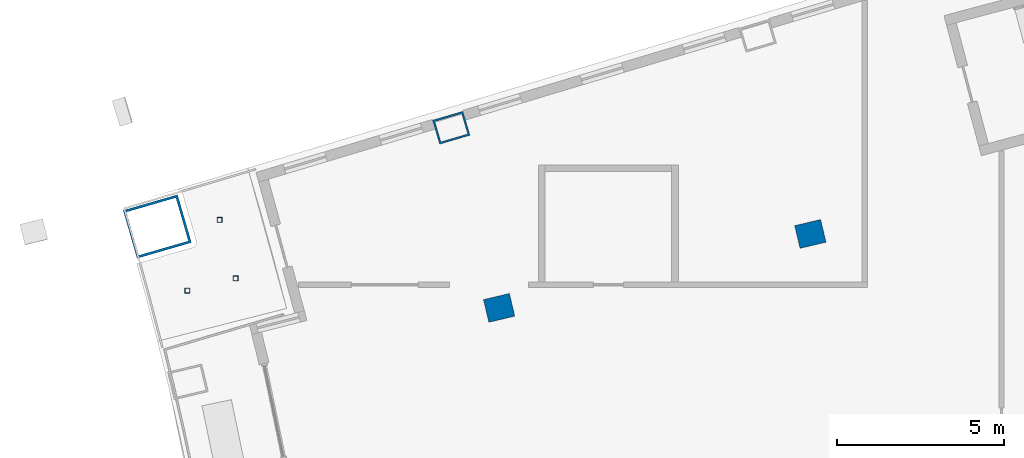
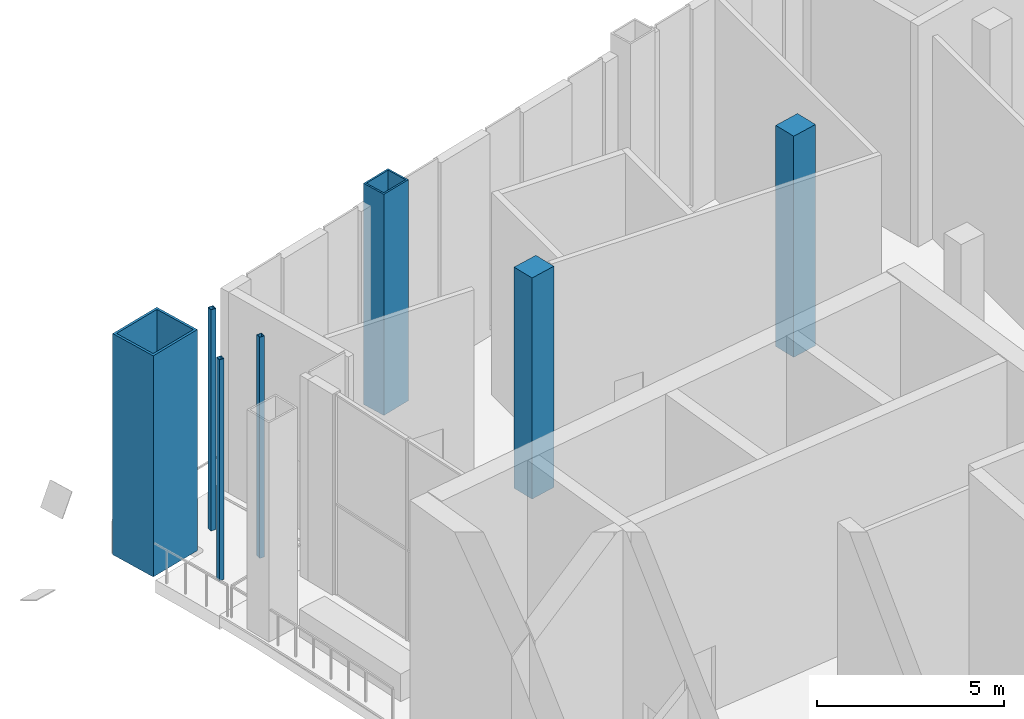
# One storey, part 5 of 24: 7 columns.
"""IFC4 building model written with IfcOpenShell, lengths in metres."""

import ifcopenshell
import ifcopenshell.guid

model = None  # the IFC model being written
_history = None  # IfcOwnerHistory: only IFC2X3 demands one
_inside = {}  # id of a spatial element -> (the spatial element, [elements in it])
_under = {}  # id of a project, library or spatial element -> (it, [spatial elements below it])
_declared = {}  # id of a project -> (the project, [libraries it declares])
_typed = {}  # id of a type object -> (the type object, [elements of that type])
_made_of = {}  # id of a material, layer set ... -> (it, [elements and type objects made of it])


def new_model(schema):
    """Start an empty IFC model of exactly this schema.

    Asked for "IFC4X3", IfcOpenShell would pick the latest addendum, in which some entities
    have other attributes; the version numbers below select the first issue.
    IFC2X3 requires an IfcOwnerHistory on every rooted entity: one is made here for all.
    """
    global model, _history
    if schema == "IFC4X3":
        model = ifcopenshell.file(schema_version=(4, 3, 0, 0))
    else:
        model = ifcopenshell.file(schema=schema)
    _inside.clear()
    _under.clear()
    _declared.clear()
    _typed.clear()
    _made_of.clear()
    _history = None
    if model.schema == "IFC2X3":
        org = make("IfcOrganization", Name="unknown")
        user = make(
            "IfcPersonAndOrganization",
            ThePerson=make("IfcPerson", FamilyName="unknown"),
            TheOrganization=org,
        )
        app = make(
            "IfcApplication",
            ApplicationDeveloper=org,
            Version="unknown",
            ApplicationFullName="unknown",
            ApplicationIdentifier="unknown",
        )
        _history = make(
            "IfcOwnerHistory",
            OwningUser=user,
            OwningApplication=app,
            ChangeAction="ADDED",
            CreationDate=0,
        )
    return model


def make(cls, **values):
    """One entity of the class cls with the attributes given. An attribute that is None is left unset."""
    return model.create_entity(
        cls, **{name: value for name, value in values.items() if value is not None}
    )


def rooted(cls, **values):
    """An entity with a GlobalId (a new one), such as an element, a storey or a relation."""
    return make(cls, GlobalId=ifcopenshell.guid.new(), OwnerHistory=_history, **values)


def si_unit(unit_type, name, prefix=None):
    """IfcSIUnit, for example si_unit("LENGTHUNIT", "METRE", prefix="MILLI")."""
    return make("IfcSIUnit", UnitType=unit_type, Prefix=prefix, Name=name)


def assignment(units):
    """IfcUnitAssignment: the units of a project."""
    return None if units is None else make("IfcUnitAssignment", Units=units)


def point(xyz):
    """IfcCartesianPoint."""
    return None if xyz is None else make("IfcCartesianPoint", Coordinates=xyz)


def direction(xyz):
    """IfcDirection."""
    return None if xyz is None else make("IfcDirection", DirectionRatios=xyz)


def frame(location, z_axis=None, x_axis=None):
    """IfcAxis2Placement3D, a coordinate frame: its origin and axes. An axis left out is left unset."""
    return make(
        "IfcAxis2Placement3D",
        Location=point(location),
        Axis=direction(z_axis),
        RefDirection=direction(x_axis),
    )


def frame_2d(location, x_axis=None):
    """IfcAxis2Placement2D, a coordinate frame in the plane: its origin and x axis."""
    return make(
        "IfcAxis2Placement2D", Location=point(location), RefDirection=direction(x_axis)
    )


def origin():
    """The frame at (0, 0, 0) with its axes left unset."""
    return frame((0.0, 0.0, 0.0))


def origin_2d():
    """The frame at (0, 0) in the plane with its x axis left unset."""
    return frame_2d((0.0, 0.0))


def place(relative_to, where):
    """IfcLocalPlacement: puts the frame where relative to a parent placement (None: the world)."""
    return make(
        "IfcLocalPlacement", PlacementRelTo=relative_to, RelativePlacement=where
    )


def context(
    kind, dimensions, precision=None, world=None, true_north=None, identifier=None
):
    """IfcGeometricRepresentationContext, for example the 3D "Model" context."""
    return make(
        "IfcGeometricRepresentationContext",
        ContextIdentifier=identifier,
        ContextType=kind,
        CoordinateSpaceDimension=dimensions,
        Precision=precision,
        WorldCoordinateSystem=world,
        TrueNorth=true_north,
    )


def subcontext(parent, identifier, kind, view, scale=None):
    """IfcGeometricRepresentationSubContext, for example "Body" below "Model"."""
    return make(
        "IfcGeometricRepresentationSubContext",
        ContextIdentifier=identifier,
        ContextType=kind,
        ParentContext=parent,
        TargetScale=scale,
        TargetView=view,
    )


def project(units=None, contexts=None):
    """IfcProject with its units and contexts."""
    return rooted(
        "IfcProject",
        Name="project",
        RepresentationContexts=contexts,
        UnitsInContext=assignment(units),
    )


def spatial(cls, under=None, at=None, **own):
    """A site, building, storey or space (cls), placed at a placement, below another one or the project."""
    s = rooted(cls, ObjectPlacement=at, **own)
    if under is not None:
        _under.setdefault(under.id(), (under, []))[1].append(s)
    return s


def profile(cls, at=None, kind="AREA", **sizes):
    """A parametric profile (cls). Its sizes go by their IFC names, for example OverallWidth=200.0."""
    return make(cls, ProfileType=kind, Position=at, **sizes)


def rectangle(**sizes):
    """IfcRectangleProfileDef."""
    return profile("IfcRectangleProfileDef", **sizes)


def hollow_rectangle(**sizes):
    """IfcRectangleHollowProfileDef."""
    return profile("IfcRectangleHollowProfileDef", **sizes)


def extrude(swept, where, along, depth):
    """IfcExtrudedAreaSolid: the profile swept, set in the frame where, extruded along a direction by depth."""
    return make(
        "IfcExtrudedAreaSolid",
        SweptArea=swept,
        Position=where,
        ExtrudedDirection=direction(along),
        Depth=depth,
    )


def shape(context_of_items, identifier, shape_type, items):
    """IfcShapeRepresentation: the items that make up one representation, for example the "Body"."""
    return make(
        "IfcShapeRepresentation",
        ContextOfItems=context_of_items,
        RepresentationIdentifier=identifier,
        RepresentationType=shape_type,
        Items=items,
    )


def material(Name=None, Category=None):
    """IfcMaterial."""
    return make("IfcMaterial", Name=Name, Category=Category)


def material_profile(
    of_material, cross_section, Name=None, Category=None, Priority=None
):
    """IfcMaterialProfile: a cross section and its material."""
    return make(
        "IfcMaterialProfile",
        Name=Name,
        Material=of_material,
        Profile=cross_section,
        Priority=Priority,
        Category=Category,
    )


def profile_set(profiles, Name=None, composite=None):
    """IfcMaterialProfileSet."""
    return make(
        "IfcMaterialProfileSet",
        Name=Name,
        MaterialProfiles=profiles,
        CompositeProfile=composite,
    )


def made_of(thing, what):
    """Note that an element or type object is made of a material, layer set ...; save() writes the relation."""
    if what is not None:
        _made_of.setdefault(what.id(), (what, []))[1].append(thing)
    return thing


def type_object(cls, material=None, **own):
    """A type object (cls), such as IfcWallType, which elements share."""
    return made_of(rooted(cls, **own), material)


def element(
    cls,
    number,
    at=None,
    inside=None,
    cuts=None,
    type_object=None,
    material=None,
    context=None,
    identifier="Body",
    shape_type=None,
    held_by="IfcProductDefinitionShape",
    body=None,
    shapes=None,
    **own,
):
    """One element of the class cls, such as IfcWall. Its Tag is "e" and its number.

    at: its placement. inside: the storey or other place that contains it. cuts: it is an
    opening in that element (IfcRelVoidsElement). A single representation is given by context,
    identifier, shape_type and body (its items); several are given by shapes. held_by: the class
    of the entity that holds the representations. save() writes the other relations.
    """
    e = rooted(cls, Tag="e%d" % number, ObjectPlacement=at, **own)
    if body is not None:
        shapes = [shape(context, identifier, shape_type, body)]
    if shapes is not None:
        e.Representation = make(held_by, Representations=shapes)
    if inside is not None:
        _inside.setdefault(inside.id(), (inside, []))[1].append(e)
    if cuts is not None:
        rooted(
            "IfcRelVoidsElement", RelatingBuildingElement=cuts, RelatedOpeningElement=e
        )
    if type_object is not None:
        _typed.setdefault(type_object.id(), (type_object, []))[1].append(e)
    return made_of(e, material)


def aggregate(whole, parts):
    """IfcRelAggregates: a whole, such as a stair, and the parts it consists of."""
    return rooted("IfcRelAggregates", RelatingObject=whole, RelatedObjects=parts)


def save(model, path):
    """Write the relations noted so far, then the file.

    IfcRelAggregates (storeys below a building ...), IfcRelContainedInSpatialStructure (elements
    in a storey), IfcRelDefinesByType, IfcRelAssociatesMaterial and IfcRelDeclares: one each for
    every whole, place, type object, material and project.
    """
    for whole, parts in _under.values():
        aggregate(whole, parts)
    for where, things in _inside.values():
        rooted(
            "IfcRelContainedInSpatialStructure",
            RelatedElements=things,
            RelatingStructure=where,
        )
    for kind, things in _typed.values():
        rooted("IfcRelDefinesByType", RelatedObjects=things, RelatingType=kind)
    for what, things in _made_of.values():
        rooted("IfcRelAssociatesMaterial", RelatedObjects=things, RelatingMaterial=what)
    for by, libraries in _declared.values():
        rooted("IfcRelDeclares", RelatingContext=by, RelatedDefinitions=libraries)
    model.write(path)


model = new_model("IFC4")

# Units and contexts
model_context = context("Model", 3, precision=1e-05, world=origin(), true_north=direction((0.0, 1.0)))
body_context = subcontext(model_context, "Body", "Model", "MODEL_VIEW")
ifc_project = project(units=[si_unit("LENGTHUNIT", "METRE"), si_unit("AREAUNIT", "SQUARE_METRE"), si_unit("VOLUMEUNIT", "CUBIC_METRE"), si_unit("PLANEANGLEUNIT", "RADIAN"), si_unit("MASSUNIT", "GRAM", prefix="KILO")], contexts=[model_context])

# Site, building, storey
site_placement = place(None, origin())
site = spatial("IfcSite", under=ifc_project, at=site_placement, CompositionType="ELEMENT")
building_placement = place(site_placement, origin())
building = spatial("IfcBuilding", under=site, at=building_placement, Name="Alderwake Tower", CompositionType="ELEMENT")
storey_placement = place(building_placement, frame((0.0, 0.0, 232.39990234375)))
storey = spatial("IfcBuildingStorey", under=building, at=storey_placement, Name="L58", CompositionType="ELEMENT", Elevation=232.39990234375)

# Columns
ifc_material_1 = material(Name="Steel ASTM A572 Grade 50 concrete filled C70/85", Category="concrete")
ifc_material_profile_1 = material_profile(ifc_material_1, hollow_rectangle(XDim=0.75, YDim=0.949951171875, WallThickness=0.054931640625, at=origin_2d()), Name="BOX 950X750X55")
ifc_profile_set_1 = profile_set([ifc_material_profile_1], Name="Steel ASTM A572 Grade 50 concrete filled C70/85")
column_type_1 = type_object("IfcColumnType", Name="End column Z4", PredefinedType="COLUMN", material=ifc_profile_set_1)
column_1_placement = place(storey_placement, frame((21.885498046875, 90.96240234375, 0.0), z_axis=(0.0, 0.0, 1.0), x_axis=(-0.282132160283, 0.95937554906, 0.0)))
element("IfcColumn", 1, at=column_1_placement, inside=storey, type_object=column_type_1, Name="Column R12-C1", PredefinedType="COLUMN", context=body_context, shape_type="SweptSolid", body=[
    extrude(hollow_rectangle(XDim=0.75, YDim=0.949951171875, WallThickness=0.054931640625, at=origin_2d()), origin(), (0.0, 0.0, 1.0), 7.2001953125),
])
ifc_material_2 = material(Name="Concrete C70/85", Category="concrete")
ifc_material_profile_2 = material_profile(ifc_material_2, rectangle(XDim=0.699951171875, YDim=0.800048828125, at=origin_2d()), Name="RC 800X700")
ifc_profile_set_2 = profile_set([ifc_material_profile_2], Name="Concrete C70/85")
column_type_2 = type_object("IfcColumnType", Name="Interior column Z4", PredefinedType="COLUMN", material=ifc_profile_set_2)
for number, where, z_axis, x_axis, name in (
    (2, (23.322021484375, 85.555908203125, 0.0), (0.0, 0.0, 1.0), (-0.231221547198, 0.972901123502, 0.0), "Column R11-C1"),
    (3, (32.661865234375, 87.775390625, 0.0), (0.0, 0.0, 1.0), (-0.231221547198, 0.972901123502, 0.0), "Column R11-C2"),
):
    element("IfcColumn", number, at=place(storey_placement, frame(where, z_axis=z_axis, x_axis=x_axis)), inside=storey, type_object=column_type_2, Name=name, PredefinedType="COLUMN", context=body_context, shape_type="SweptSolid", body=[
        extrude(rectangle(XDim=0.699951171875, YDim=0.800048828125, at=origin_2d()), origin(), (0.0, 0.0, 1.0), 7.2001953125),
    ])
ifc_material_3 = material(Name="Steel ASTM A500 Grade C", Category="steel")
ifc_material_profile_3 = material_profile(ifc_material_3, hollow_rectangle(XDim=0.15234375, YDim=0.15234375, WallThickness=0.0087890625, at=origin_2d()), Name="HSS6X6X3/8")
ifc_profile_set_3 = profile_set([ifc_material_profile_3], Name="Steel ASTM A500 Grade C")
column_type_3 = type_object("IfcColumnType", Name="Light post HSS6X6X3/8", PredefinedType="COLUMN", material=ifc_profile_set_3)
for number, where, z_axis, x_axis, name in (
    (4, (13.962158203125, 86.073486328125, 0.0), (0.0, 0.0, 1.0), (1.0, 0.0, 0.0), "Terrace post RN1"),
    (5, (14.93115234375, 88.196044921875, 0.0), (0.0, 0.0, 1.0), (1.0, 0.0, 0.0), "Terrace post RN2"),
    (6, (15.41650390625, 86.441650390625, 0.0), (0.0, 0.0, 1.0), (1.0, 0.0, 0.0), "Terrace post RN3"),
):
    element("IfcColumn", number, at=place(storey_placement, frame(where, z_axis=z_axis, x_axis=x_axis)), inside=storey, type_object=column_type_3, Name=name, PredefinedType="COLUMN", context=body_context, shape_type="SweptSolid", body=[
        extrude(hollow_rectangle(XDim=0.15234375, YDim=0.15234375, WallThickness=0.0087890625, at=origin_2d()), origin(), (0.0, 0.0, 1.0), 7.2001953125),
    ])
ifc_material_4 = material(Name="Steel ASTM A572 Grade 50 concrete filled C70/85", Category="concrete")
ifc_material_profile_4 = material_profile(ifc_material_4, hollow_rectangle(XDim=1.5, YDim=1.699951171875, WallThickness=0.074951171875, at=origin_2d()), Name="BOX 1700X1500X75")
ifc_profile_set_4 = profile_set([ifc_material_profile_4], Name="Steel ASTM A572 Grade 50 concrete filled C70/85")
column_type_4 = type_object("IfcColumnType", Name="Mega column Z4", PredefinedType="COLUMN", material=ifc_profile_set_4)
column_2_placement = place(storey_placement, frame((13.06298828125, 87.99755859375, 0.0), z_axis=(0.0, 0.0, 1.0), x_axis=(-0.278612301868, 0.960403657452, 0.0)))
element("IfcColumn", 7, at=column_2_placement, inside=storey, type_object=column_type_4, Name="Column R12-C0", PredefinedType="COLUMN", context=body_context, shape_type="SweptSolid", body=[
    extrude(hollow_rectangle(XDim=1.5, YDim=1.699951171875, WallThickness=0.074951171875, at=origin_2d()), origin(), (0.0, 0.0, 1.0), 7.2001953125),
])

save(model, "model.ifc")
